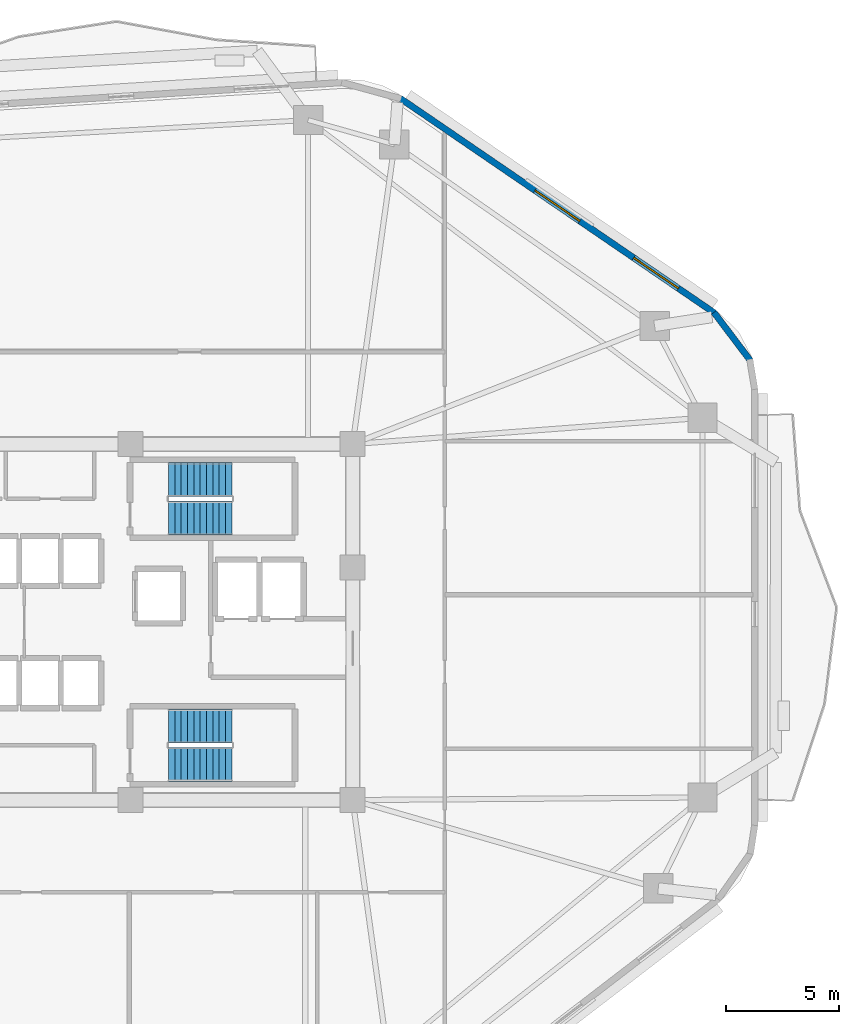
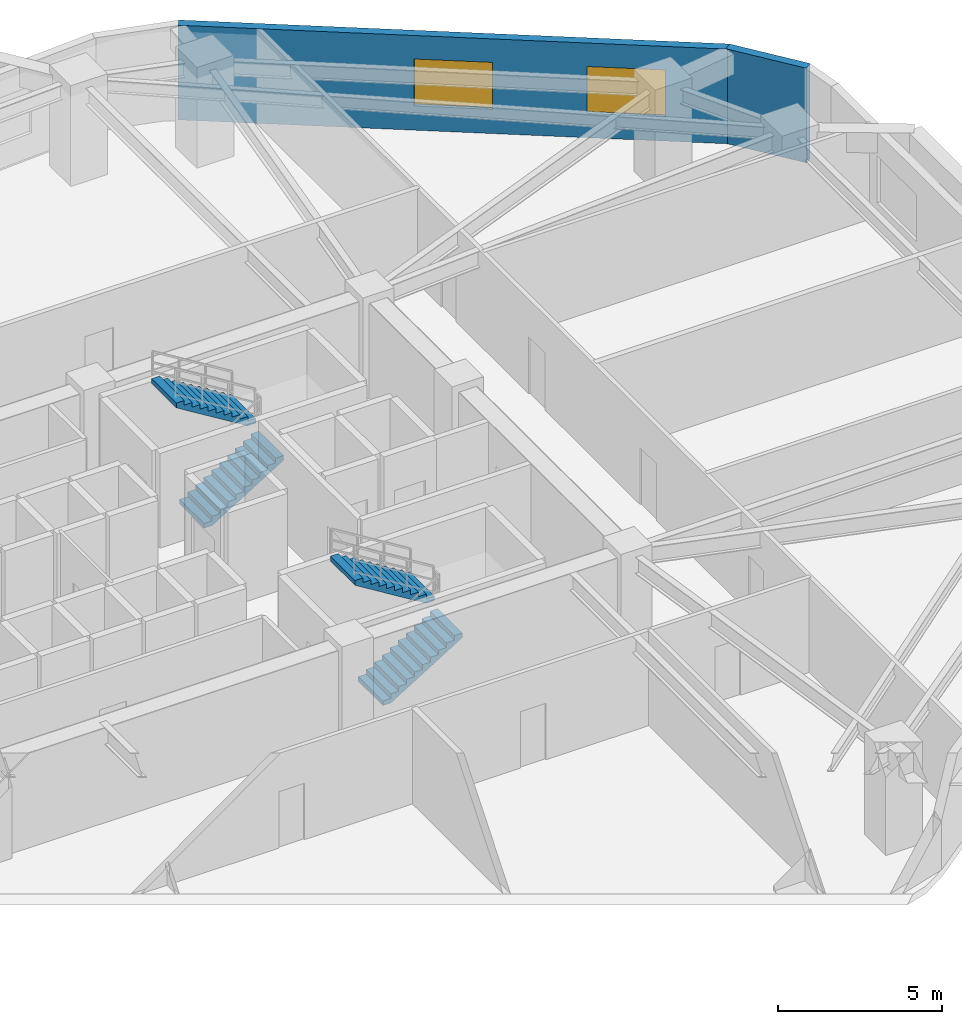
# One storey, part 6 of 10: 4 stair flights, 2 walls, 2 windows, 2 openings, 2 elements without a shape of their own.
"""IFC4 building model written with IfcOpenShell, lengths in metres."""

from ifc_helpers import new_model, si_unit, direction, frame, frame_2d, origin, place, context, subcontext, project, spatial, polyline, rectangle, outline, extrude, material, layer, layer_set, type_object, element, fill, aggregate, save


model = new_model("IFC4")

# Units and contexts
model_context = context("Model", 3, precision=1e-05, world=origin(), true_north=direction((0.0, 1.0)))
body_context = subcontext(model_context, "Body", "Model", "MODEL_VIEW")
ifc_project = project(units=[si_unit("LENGTHUNIT", "METRE"), si_unit("AREAUNIT", "SQUARE_METRE"), si_unit("VOLUMEUNIT", "CUBIC_METRE"), si_unit("PLANEANGLEUNIT", "RADIAN"), si_unit("MASSUNIT", "GRAM", prefix="KILO")], contexts=[model_context])

# Site, building, storey
site_placement = place(None, origin())
site = spatial("IfcSite", under=ifc_project, at=site_placement, CompositionType="ELEMENT")
building_placement = place(site_placement, origin())
building = spatial("IfcBuilding", under=site, at=building_placement, Name="Zulverin Broadcast Headquarters", CompositionType="ELEMENT")
storey_placement = place(building_placement, frame((0.0, 0.0, 66.800048828125)))
storey = spatial("IfcBuildingStorey", under=building, at=storey_placement, Name="L16", CompositionType="ELEMENT", Elevation=66.800048828125)

# Wall, openings, windows
ifc_material_1 = material(Name="Insulated pale-metal clad concrete spandrel C40/50", Category="concrete")
ifc_layer = layer(ifc_material_1, 0.280029296875, Name="Insulated pale-metal clad concrete spandrel C40/50", Category="concrete")
ifc_layer_set = layer_set([ifc_layer], Name="Insulated pale-metal clad concrete spandrel C40/50")
wall_type = type_object("IfcWallType", Name="WL-EXT-280", PredefinedType="STANDARD", material=ifc_layer_set)
wall_1_placement = place(storey_placement, frame((64.289794921875, 38.8671875, 0.0), z_axis=(0.0, 0.0, 1.0), x_axis=(-0.825755550159, 0.564028165416, 0.0)))
wall_1 = element("IfcWall", 1, at=wall_1_placement, inside=storey, type_object=wall_type, Name="L16 Pale-Metal Clad Spandrel Wall 4", PredefinedType="STANDARD", context=body_context, shape_type="SweptSolid", body=[
    extrude(rectangle(XDim=16.848388671875, YDim=0.280029296875, at=frame_2d((8.42431640625, 0.0))), origin(), (0.0, 0.0, 1.0), 3.52490234375),
])
opening_1_placement = place(wall_1_placement, frame((1.94140625, 0.0, 0.89990234375)))
opening_1 = element("IfcOpeningElement", 2, at=opening_1_placement, cuts=wall_1, Name="Opening W-L16-E41", PredefinedType="OPENING", context=body_context, shape_type="SweptSolid", body=[
    extrude(rectangle(XDim=2.39990234375, YDim=1.75, at=frame_2d((1.199951171875, 0.875))), frame((0.0, 0.14990234375, 0.0), z_axis=(0.0, -1.0, 0.0), x_axis=(1.0, 0.0, 0.0)), (0.0, 0.0, 1.0), 0.300048828125),
])
opening_2_placement = place(wall_1_placement, frame((7.22412109375, 0.0, 0.89990234375)))
opening_2 = element("IfcOpeningElement", 3, at=opening_2_placement, cuts=wall_1, Name="Opening W-L16-E42", PredefinedType="OPENING", context=body_context, shape_type="SweptSolid", body=[
    extrude(rectangle(XDim=2.39990234375, YDim=1.75, at=frame_2d((1.199951171875, 0.875))), frame((0.0, 0.14990234375, 0.0), z_axis=(0.0, -1.0, 0.0), x_axis=(1.0, 0.0, 0.0)), (0.0, 0.0, 1.0), 0.300048828125),
])
ifc_material_2 = material(Name="Pale anodized aluminium frame with solar-control low-E double glazing", Category="aluminium")
window_type = type_object("IfcWindowType", Name="WIN-RIB-2400", PartitioningType="SINGLE_PANEL", PredefinedType="WINDOW", material=ifc_material_2)
window_1_placement = place(opening_1_placement, origin())
window_1 = element("IfcWindow", 4, at=window_1_placement, inside=storey, type_object=window_type, Name="L16 Ribbon Glazing Window 4 1", OverallHeight=1.75, OverallWidth=2.39990234375, PartitioningType="SINGLE_PANEL", PredefinedType="WINDOW", context=body_context, shape_type="SweptSolid", body=[
    extrude(rectangle(XDim=2.39990234375, YDim=1.75, at=frame_2d((1.199951171875, 0.875))), frame((0.0, 0.030029296875, 0.0), z_axis=(0.0, -1.0, 0.0), x_axis=(1.0, 0.0, 0.0)), (0.0, 0.0, 1.0), 0.06005859375),
])
fill(opening_1, window_1)
window_2_placement = place(opening_2_placement, origin())
window_2 = element("IfcWindow", 5, at=window_2_placement, inside=storey, type_object=window_type, Name="L16 Ribbon Glazing Window 4 2", OverallHeight=1.75, OverallWidth=2.39990234375, PartitioningType="SINGLE_PANEL", PredefinedType="WINDOW", context=body_context, shape_type="SweptSolid", body=[
    extrude(rectangle(XDim=2.39990234375, YDim=1.75, at=frame_2d((1.199951171875, 0.875))), frame((0.0, 0.030029296875, 0.0), z_axis=(0.0, -1.0, 0.0), x_axis=(1.0, 0.0, 0.0)), (0.0, 0.0, 1.0), 0.06005859375),
])
fill(opening_2, window_2)

# Wall
wall_2_placement = place(storey_placement, frame((65.8701171875, 36.7666015625, 0.0), z_axis=(0.0, 0.0, 1.0), x_axis=(-0.603370463754, 0.797461023166, 0.0)))
element("IfcWall", 6, at=wall_2_placement, inside=storey, type_object=wall_type, Name="L16 Wind-Shaped Corner Spandrel Wall 3-2", PredefinedType="STANDARD", context=body_context, shape_type="SweptSolid", body=[
    extrude(rectangle(XDim=2.6728515625, YDim=0.280029296875, at=frame_2d((1.33642578125, 0.0))), origin(), (0.0, 0.0, 1.0), 3.52490234375),
])

# Stair, stair flights
ifc_material_3 = material(Name="Concrete C40/50", Category="concrete")
stair_type = type_object("IfcStairType", Name="ST-CORE-1500", PredefinedType="HALF_TURN_STAIR", material=ifc_material_3)
stair_1_placement = place(storey_placement, origin())
stair_1 = element("IfcStair", 7, at=stair_1_placement, inside=storey, type_object=stair_type, Name="L16 Core Exit Stair ST-1", PredefinedType="HALF_TURN_STAIR")
stair_flight_type = type_object("IfcStairFlightType", Name="SF-CORE-1500", PredefinedType="STRAIGHT", material=ifc_material_3)
stair_flight_1_placement = place(storey_placement, frame((40.1298828125, 29.800048828125, 0.0), z_axis=(0.0, 0.0, 1.0), x_axis=(1.0, 0.0, 0.0)))
stair_flight_1 = element("IfcStairFlight", 8, at=stair_flight_1_placement, type_object=stair_flight_type, Name="ST-1 flight 1", NumberOfRisers=11, NumberOfTreads=10, PredefinedType="STRAIGHT", RiserHeight=0.172727273, TreadLength=0.28, context=body_context, shape_type="SweptSolid", body=[
    extrude(outline(polyline([(0.0, 0.0), (0.0, 0.172607421875), (0.280029296875, 0.172607421875), (0.280029296875, 0.345458984375), (0.56005859375, 0.345458984375), (0.56005859375, 0.51806640625), (0.840087890625, 0.51806640625), (0.840087890625, 0.69091796875), (1.1201171875, 0.69091796875), (1.1201171875, 0.863525390625), (1.39990234375, 0.863525390625), (1.39990234375, 1.036376953125), (1.679931640625, 1.036376953125), (1.679931640625, 1.208984375), (1.9599609375, 1.208984375), (1.9599609375, 1.3818359375), (2.239990234375, 1.3818359375), (2.239990234375, 1.554443359375), (2.52001953125, 1.554443359375), (2.52001953125, 1.727294921875), (2.800048828125, 1.727294921875), (2.800048828125, 1.89990234375), (2.800048828125, 1.551025390625), (0.285400390625, 0.0), (0.0, 0.0)])), frame((0.0, 0.75, 0.0), z_axis=(0.0, -1.0, 0.0), x_axis=(1.0, 0.0, 0.0)), (0.0, 0.0, 1.0), 1.5),
])
stair_flight_2_placement = place(storey_placement, frame((42.929931640625, 31.5, 1.89990234375), z_axis=(0.0, 0.0, 1.0), x_axis=(-1.0, 0.0, 0.0)))
stair_flight_2 = element("IfcStairFlight", 9, at=stair_flight_2_placement, type_object=stair_flight_type, Name="ST-1 flight 2", NumberOfRisers=11, NumberOfTreads=10, PredefinedType="STRAIGHT", RiserHeight=0.172727273, TreadLength=0.28, context=body_context, shape_type="SweptSolid", body=[
    extrude(outline(polyline([(0.0, 0.0), (0.0, 0.172607421875), (0.280029296875, 0.172607421875), (0.280029296875, 0.345458984375), (0.56005859375, 0.345458984375), (0.56005859375, 0.51806640625), (0.840087890625, 0.51806640625), (0.840087890625, 0.69091796875), (1.1201171875, 0.69091796875), (1.1201171875, 0.863525390625), (1.39990234375, 0.863525390625), (1.39990234375, 1.036376953125), (1.679931640625, 1.036376953125), (1.679931640625, 1.208984375), (1.9599609375, 1.208984375), (1.9599609375, 1.3818359375), (2.239990234375, 1.3818359375), (2.239990234375, 1.554443359375), (2.52001953125, 1.554443359375), (2.52001953125, 1.727294921875), (2.800048828125, 1.727294921875), (2.800048828125, 1.89990234375), (2.800048828125, 1.551025390625), (0.285400390625, 0.0), (0.0, 0.0)])), frame((0.0, 0.75, 0.0), z_axis=(0.0, -1.0, 0.0), x_axis=(1.0, 0.0, 0.0)), (0.0, 0.0, 1.0), 1.5),
])
aggregate(stair_1, [stair_flight_1, stair_flight_2])

stair_2_placement = place(storey_placement, origin())
stair_2 = element("IfcStair", 10, at=stair_2_placement, inside=storey, type_object=stair_type, Name="L16 Core Exit Stair ST-2", PredefinedType="HALF_TURN_STAIR")
stair_flight_3_placement = place(storey_placement, frame((40.1298828125, 18.89990234375, 0.0), z_axis=(0.0, 0.0, 1.0), x_axis=(1.0, 0.0, 0.0)))
stair_flight_3 = element("IfcStairFlight", 11, at=stair_flight_3_placement, type_object=stair_flight_type, Name="ST-2 flight 1", NumberOfRisers=11, NumberOfTreads=10, PredefinedType="STRAIGHT", RiserHeight=0.172727273, TreadLength=0.28, context=body_context, shape_type="SweptSolid", body=[
    extrude(outline(polyline([(0.0, 0.0), (0.0, 0.172607421875), (0.280029296875, 0.172607421875), (0.280029296875, 0.345458984375), (0.56005859375, 0.345458984375), (0.56005859375, 0.51806640625), (0.840087890625, 0.51806640625), (0.840087890625, 0.69091796875), (1.1201171875, 0.69091796875), (1.1201171875, 0.863525390625), (1.39990234375, 0.863525390625), (1.39990234375, 1.036376953125), (1.679931640625, 1.036376953125), (1.679931640625, 1.208984375), (1.9599609375, 1.208984375), (1.9599609375, 1.3818359375), (2.239990234375, 1.3818359375), (2.239990234375, 1.554443359375), (2.52001953125, 1.554443359375), (2.52001953125, 1.727294921875), (2.800048828125, 1.727294921875), (2.800048828125, 1.89990234375), (2.800048828125, 1.551025390625), (0.285400390625, 0.0), (0.0, 0.0)])), frame((0.0, 0.75, 0.0), z_axis=(0.0, -1.0, 0.0), x_axis=(1.0, 0.0, 0.0)), (0.0, 0.0, 1.0), 1.5),
])
stair_flight_4_placement = place(storey_placement, frame((42.929931640625, 20.60009765625, 1.89990234375), z_axis=(0.0, 0.0, 1.0), x_axis=(-1.0, 0.0, 0.0)))
stair_flight_4 = element("IfcStairFlight", 12, at=stair_flight_4_placement, type_object=stair_flight_type, Name="ST-2 flight 2", NumberOfRisers=11, NumberOfTreads=10, PredefinedType="STRAIGHT", RiserHeight=0.172727273, TreadLength=0.28, context=body_context, shape_type="SweptSolid", body=[
    extrude(outline(polyline([(0.0, 0.0), (0.0, 0.172607421875), (0.280029296875, 0.172607421875), (0.280029296875, 0.345458984375), (0.56005859375, 0.345458984375), (0.56005859375, 0.51806640625), (0.840087890625, 0.51806640625), (0.840087890625, 0.69091796875), (1.1201171875, 0.69091796875), (1.1201171875, 0.863525390625), (1.39990234375, 0.863525390625), (1.39990234375, 1.036376953125), (1.679931640625, 1.036376953125), (1.679931640625, 1.208984375), (1.9599609375, 1.208984375), (1.9599609375, 1.3818359375), (2.239990234375, 1.3818359375), (2.239990234375, 1.554443359375), (2.52001953125, 1.554443359375), (2.52001953125, 1.727294921875), (2.800048828125, 1.727294921875), (2.800048828125, 1.89990234375), (2.800048828125, 1.551025390625), (0.285400390625, 0.0), (0.0, 0.0)])), frame((0.0, 0.75, 0.0), z_axis=(0.0, -1.0, 0.0), x_axis=(1.0, 0.0, 0.0)), (0.0, 0.0, 1.0), 1.5),
])
aggregate(stair_2, [stair_flight_3, stair_flight_4])

save(model, "model.ifc")
